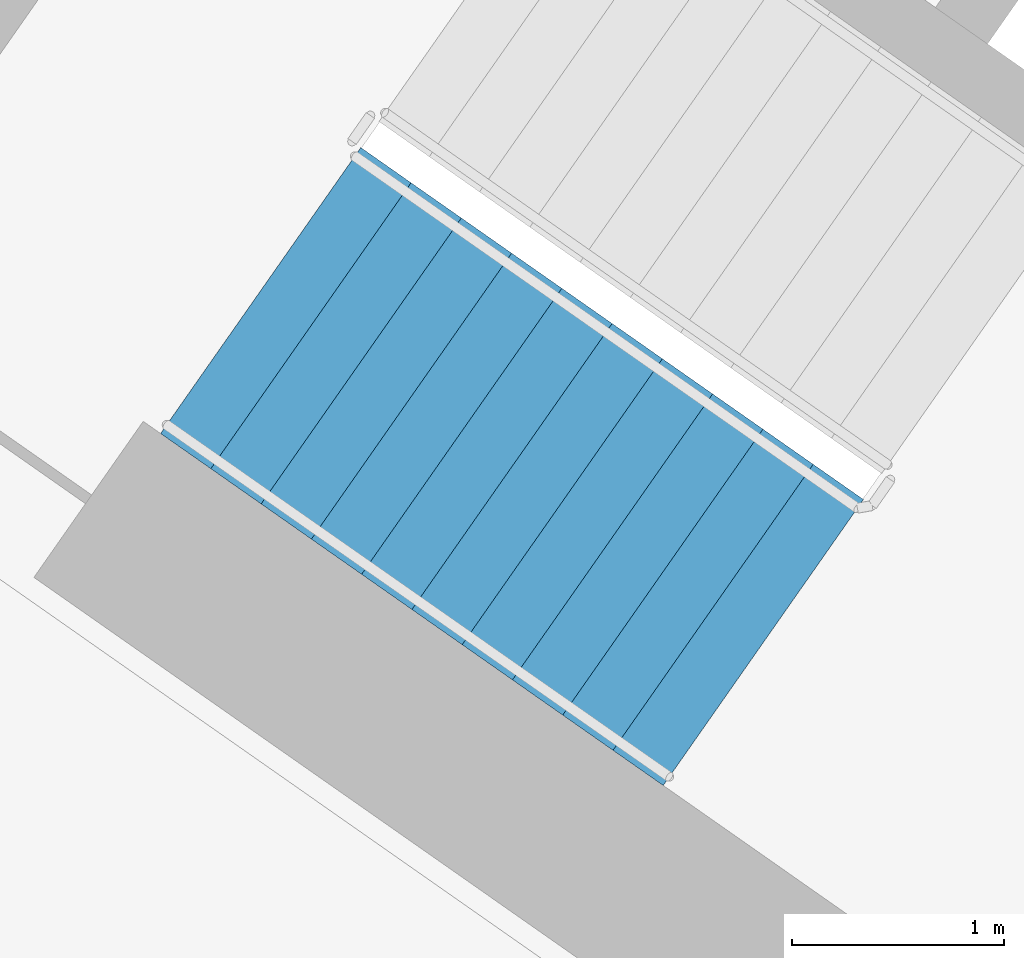
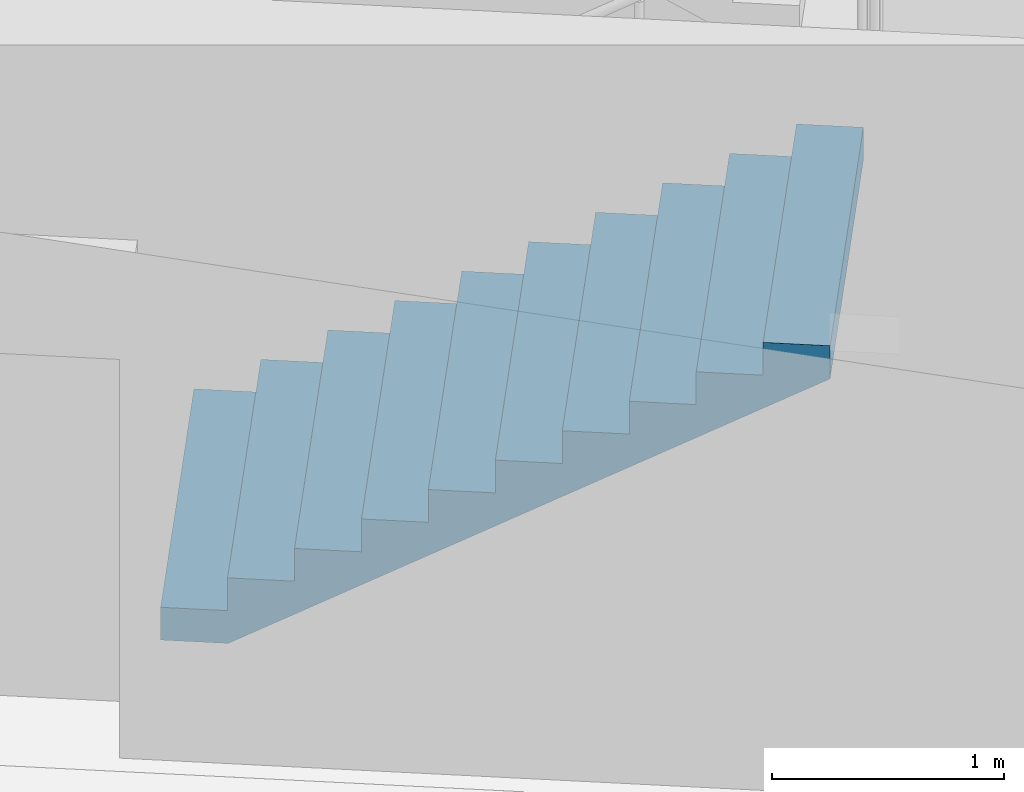
# One storey, part 10 of 31: 1 stair flight, 1 element without a shape of its own.
"""IFC4 building model written with IfcOpenShell, lengths in metres."""

from ifc_helpers import new_model, si_unit, direction, frame, origin, place, context, subcontext, project, spatial, faceted_brep, material, type_object, element, aggregate, save


model = new_model("IFC4")

# Units and contexts
model_context = context("Model", 3, precision=1e-05, world=origin(), true_north=direction((0.0, 1.0)))
body_context = subcontext(model_context, "Body", "Model", "MODEL_VIEW")
ifc_project = project(units=[si_unit("LENGTHUNIT", "METRE"), si_unit("AREAUNIT", "SQUARE_METRE"), si_unit("VOLUMEUNIT", "CUBIC_METRE"), si_unit("PLANEANGLEUNIT", "RADIAN"), si_unit("MASSUNIT", "GRAM", prefix="KILO")], contexts=[model_context])

# Site, building, storey
site_placement = place(None, origin())
site = spatial("IfcSite", under=ifc_project, at=site_placement, CompositionType="ELEMENT")
building_placement = place(site_placement, origin())
building = spatial("IfcBuilding", under=site, at=building_placement, Name="Qamariyya Broadcast Tower", CompositionType="ELEMENT")
storey_placement = place(building_placement, frame((0.0, 0.0, 86.10009765625)))
storey = spatial("IfcBuildingStorey", under=building, at=storey_placement, Name="L18", CompositionType="ELEMENT", Elevation=86.10009765625)

# Stair, stair flight
ifc_material = material(Name="Concrete C50/60", Category="concrete")
stair_type = type_object("IfcStairType", Name="Exit stair 22 risers of 173 mm", PredefinedType="HALF_TURN_STAIR", material=ifc_material)
stair_placement = place(storey_placement, origin())
stair = element("IfcStair", 1, at=stair_placement, inside=storey, type_object=stair_type, Name="L18 Stair W1", PredefinedType="HALF_TURN_STAIR")
stair_flight_type = type_object("IfcStairFlightType", Name="Exit stair flight 11 risers of 173 mm", PredefinedType="STRAIGHT", material=ifc_material)
stair_flight_placement = place(storey_placement, frame((-47.06884765625, -56.982666015625, 0.0), z_axis=(0.0, 0.0, 1.0), x_axis=(0.819152044289, -0.573576436351, 0.0)))
stair_flight = element("IfcStairFlight", 2, at=stair_flight_placement, type_object=stair_flight_type, Name="ST-W1 flight 1", NumberOfRisers=11, NumberOfTreads=10, PredefinedType="STRAIGHT", RiserHeight=0.172727273, TreadLength=0.29, context=body_context, shape_type="Brep", body=[
    faceted_brep([(0.0, 0.824951171875, 0.0), (0.0, 0.824951171875, 0.172607421875), (0.2900390625, 0.824951171875, 0.172607421875), (0.2900390625, 0.824951171875, 0.345458984375), (0.580078125, 0.824951171875, 0.345458984375), (0.580078125, 0.824951171875, 0.51806640625), (0.8701171875, 0.824951171875, 0.51806640625), (0.8701171875, 0.824951171875, 0.69091796875), (1.159912109375, 0.824951171875, 0.69091796875), (1.159912109375, 0.824951171875, 0.863525390625), (1.449951171875, 0.824951171875, 0.863525390625), (1.449951171875, 0.824951171875, 1.036376953125), (1.739990234375, 0.824951171875, 1.036376953125), (1.739990234375, 0.824951171875, 1.208984375), (2.030029296875, 0.824951171875, 1.208984375), (2.030029296875, 0.824951171875, 1.3818359375), (2.320068359375, 0.824951171875, 1.3818359375), (2.320068359375, 0.824951171875, 1.554443359375), (2.610107421875, 0.824951171875, 1.554443359375), (2.610107421875, 0.824951171875, 1.727294921875), (2.89990234375, 0.824951171875, 1.727294921875), (2.89990234375, 0.824951171875, 1.552734375), (0.29296875, 0.824951171875, 0.0), (0.29296875, -0.824951171875, 0.0), (2.89990234375, -0.824951171875, 1.552734375), (2.89990234375, -0.824951171875, 1.727294921875), (2.610107421875, -0.824951171875, 1.727294921875), (2.610107421875, -0.824951171875, 1.554443359375), (2.320068359375, -0.824951171875, 1.554443359375), (2.320068359375, -0.824951171875, 1.3818359375), (2.030029296875, -0.824951171875, 1.3818359375), (2.030029296875, -0.824951171875, 1.208984375), (1.739990234375, -0.824951171875, 1.208984375), (1.739990234375, -0.824951171875, 1.036376953125), (1.449951171875, -0.824951171875, 1.036376953125), (1.449951171875, -0.824951171875, 0.863525390625), (1.159912109375, -0.824951171875, 0.863525390625), (1.159912109375, -0.824951171875, 0.69091796875), (0.8701171875, -0.824951171875, 0.69091796875), (0.8701171875, -0.824951171875, 0.51806640625), (0.580078125, -0.824951171875, 0.51806640625), (0.580078125, -0.824951171875, 0.345458984375), (0.2900390625, -0.824951171875, 0.345458984375), (0.2900390625, -0.824951171875, 0.172607421875), (0.0, -0.824951171875, 0.172607421875), (0.0, -0.824951171875, 0.0), (0.0, 0.10009765625, 0.0), (0.0, 0.086669921875, 0.0), (0.0, 0.0732421875, 0.0), (0.0, 0.06005859375, 0.0), (0.0, 0.046630859375, 0.0), (0.0, 0.033447265625, 0.0), (0.0, 0.02001953125, 0.0), (0.0, 0.006591796875, 0.0), (0.0, -0.006591796875, 0.0), (0.0, -0.02001953125, 0.0), (0.0, -0.033447265625, 0.0), (0.0, -0.046630859375, 0.0), (0.0, -0.06005859375, 0.0), (0.0, -0.0732421875, 0.0), (0.0, -0.086669921875, 0.0), (0.0, -0.10009765625, 0.0), (0.0, -0.10009765625, 0.172607421875), (0.0, -0.086669921875, 0.172607421875), (0.0, -0.0732421875, 0.172607421875), (0.0, -0.06005859375, 0.172607421875), (0.0, -0.046630859375, 0.172607421875), (0.0, -0.033447265625, 0.172607421875), (0.0, -0.02001953125, 0.172607421875), (0.0, -0.006591796875, 0.172607421875), (0.0, 0.006591796875, 0.172607421875), (0.0, 0.02001953125, 0.172607421875), (0.0, 0.033447265625, 0.172607421875), (0.0, 0.046630859375, 0.172607421875), (0.0, 0.06005859375, 0.172607421875), (0.0, 0.0732421875, 0.172607421875), (0.0, 0.086669921875, 0.172607421875), (0.0, 0.10009765625, 0.172607421875), (0.2900390625, -0.10009765625, 0.172607421875), (0.2900390625, -0.086669921875, 0.172607421875), (0.2900390625, -0.0732421875, 0.172607421875), (0.2900390625, -0.06005859375, 0.172607421875), (0.2900390625, -0.046630859375, 0.172607421875), (0.2900390625, -0.033447265625, 0.172607421875), (0.2900390625, -0.02001953125, 0.172607421875), (0.2900390625, -0.006591796875, 0.172607421875), (0.2900390625, 0.006591796875, 0.172607421875), (0.2900390625, 0.02001953125, 0.172607421875), (0.2900390625, 0.033447265625, 0.172607421875), (0.2900390625, 0.046630859375, 0.172607421875), (0.2900390625, 0.06005859375, 0.172607421875), (0.2900390625, 0.0732421875, 0.172607421875), (0.2900390625, 0.086669921875, 0.172607421875), (0.2900390625, 0.10009765625, 0.172607421875), (0.2900390625, -0.10009765625, 0.345458984375), (0.2900390625, -0.086669921875, 0.345458984375), (0.2900390625, -0.0732421875, 0.345458984375), (0.2900390625, -0.06005859375, 0.345458984375), (0.2900390625, -0.046630859375, 0.345458984375), (0.2900390625, -0.033447265625, 0.345458984375), (0.2900390625, -0.02001953125, 0.345458984375), (0.2900390625, -0.006591796875, 0.345458984375), (0.2900390625, 0.006591796875, 0.345458984375), (0.2900390625, 0.02001953125, 0.345458984375), (0.2900390625, 0.033447265625, 0.345458984375), (0.2900390625, 0.046630859375, 0.345458984375), (0.2900390625, 0.06005859375, 0.345458984375), (0.2900390625, 0.0732421875, 0.345458984375), (0.2900390625, 0.086669921875, 0.345458984375), (0.2900390625, 0.10009765625, 0.345458984375), (0.580078125, -0.10009765625, 0.345458984375), (0.580078125, -0.086669921875, 0.345458984375), (0.580078125, -0.0732421875, 0.345458984375), (0.580078125, -0.06005859375, 0.345458984375), (0.580078125, -0.046630859375, 0.345458984375), (0.580078125, -0.033447265625, 0.345458984375), (0.580078125, -0.02001953125, 0.345458984375), (0.580078125, -0.006591796875, 0.345458984375), (0.580078125, 0.006591796875, 0.345458984375), (0.580078125, 0.02001953125, 0.345458984375), (0.580078125, 0.033447265625, 0.345458984375), (0.580078125, 0.046630859375, 0.345458984375), (0.580078125, 0.06005859375, 0.345458984375), (0.580078125, 0.0732421875, 0.345458984375), (0.580078125, 0.086669921875, 0.345458984375), (0.580078125, 0.10009765625, 0.345458984375), (0.580078125, -0.10009765625, 0.51806640625), (0.580078125, -0.086669921875, 0.51806640625), (0.580078125, -0.0732421875, 0.51806640625), (0.580078125, -0.06005859375, 0.51806640625), (0.580078125, -0.046630859375, 0.51806640625), (0.580078125, -0.033447265625, 0.51806640625), (0.580078125, -0.02001953125, 0.51806640625), (0.580078125, -0.006591796875, 0.51806640625), (0.580078125, 0.006591796875, 0.51806640625), (0.580078125, 0.02001953125, 0.51806640625), (0.580078125, 0.033447265625, 0.51806640625), (0.580078125, 0.046630859375, 0.51806640625), (0.580078125, 0.06005859375, 0.51806640625), (0.580078125, 0.0732421875, 0.51806640625), (0.580078125, 0.086669921875, 0.51806640625), (0.580078125, 0.10009765625, 0.51806640625), (0.8701171875, -0.10009765625, 0.51806640625), (0.8701171875, -0.086669921875, 0.51806640625), (0.8701171875, -0.0732421875, 0.51806640625), (0.8701171875, -0.06005859375, 0.51806640625), (0.8701171875, -0.046630859375, 0.51806640625), (0.8701171875, -0.033447265625, 0.51806640625), (0.8701171875, -0.02001953125, 0.51806640625), (0.8701171875, -0.006591796875, 0.51806640625), (0.8701171875, 0.006591796875, 0.51806640625), (0.8701171875, 0.02001953125, 0.51806640625), (0.8701171875, 0.033447265625, 0.51806640625), (0.8701171875, 0.046630859375, 0.51806640625), (0.8701171875, 0.06005859375, 0.51806640625), (0.8701171875, 0.0732421875, 0.51806640625), (0.8701171875, 0.086669921875, 0.51806640625), (0.8701171875, 0.10009765625, 0.51806640625), (0.8701171875, -0.10009765625, 0.69091796875), (0.8701171875, -0.086669921875, 0.69091796875), (0.8701171875, -0.0732421875, 0.69091796875), (0.8701171875, -0.06005859375, 0.69091796875), (0.8701171875, -0.046630859375, 0.69091796875), (0.8701171875, -0.033447265625, 0.69091796875), (0.8701171875, -0.02001953125, 0.69091796875), (0.8701171875, -0.006591796875, 0.69091796875), (0.8701171875, 0.006591796875, 0.69091796875), (0.8701171875, 0.02001953125, 0.69091796875), (0.8701171875, 0.033447265625, 0.69091796875), (0.8701171875, 0.046630859375, 0.69091796875), (0.8701171875, 0.06005859375, 0.69091796875), (0.8701171875, 0.0732421875, 0.69091796875), (0.8701171875, 0.086669921875, 0.69091796875), (0.8701171875, 0.10009765625, 0.69091796875), (1.159912109375, -0.10009765625, 0.69091796875), (1.159912109375, -0.086669921875, 0.69091796875), (1.159912109375, -0.0732421875, 0.69091796875), (1.159912109375, -0.06005859375, 0.69091796875), (1.159912109375, -0.046630859375, 0.69091796875), (1.159912109375, -0.033447265625, 0.69091796875), (1.159912109375, -0.02001953125, 0.69091796875), (1.159912109375, -0.006591796875, 0.69091796875), (1.159912109375, 0.006591796875, 0.69091796875), (1.159912109375, 0.02001953125, 0.69091796875), (1.159912109375, 0.033447265625, 0.69091796875), (1.159912109375, 0.046630859375, 0.69091796875), (1.159912109375, 0.06005859375, 0.69091796875), (1.159912109375, 0.0732421875, 0.69091796875), (1.159912109375, 0.086669921875, 0.69091796875), (1.159912109375, 0.10009765625, 0.69091796875), (1.159912109375, -0.10009765625, 0.863525390625), (1.159912109375, -0.086669921875, 0.863525390625), (1.159912109375, -0.0732421875, 0.863525390625), (1.159912109375, -0.06005859375, 0.863525390625), (1.159912109375, -0.046630859375, 0.863525390625), (1.159912109375, -0.033447265625, 0.863525390625), (1.159912109375, -0.02001953125, 0.863525390625), (1.159912109375, -0.006591796875, 0.863525390625), (1.159912109375, 0.006591796875, 0.863525390625), (1.159912109375, 0.02001953125, 0.863525390625), (1.159912109375, 0.033447265625, 0.863525390625), (1.159912109375, 0.046630859375, 0.863525390625), (1.159912109375, 0.06005859375, 0.863525390625), (1.159912109375, 0.0732421875, 0.863525390625), (1.159912109375, 0.086669921875, 0.863525390625), (1.159912109375, 0.10009765625, 0.863525390625), (1.449951171875, -0.10009765625, 0.863525390625), (1.449951171875, -0.086669921875, 0.863525390625), (1.449951171875, -0.0732421875, 0.863525390625), (1.449951171875, -0.06005859375, 0.863525390625), (1.449951171875, -0.046630859375, 0.863525390625), (1.449951171875, -0.033447265625, 0.863525390625), (1.449951171875, -0.02001953125, 0.863525390625), (1.449951171875, -0.006591796875, 0.863525390625), (1.449951171875, 0.006591796875, 0.863525390625), (1.449951171875, 0.02001953125, 0.863525390625), (1.449951171875, 0.033447265625, 0.863525390625), (1.449951171875, 0.046630859375, 0.863525390625), (1.449951171875, 0.06005859375, 0.863525390625), (1.449951171875, 0.0732421875, 0.863525390625), (1.449951171875, 0.086669921875, 0.863525390625), (1.449951171875, 0.10009765625, 0.863525390625), (1.449951171875, -0.10009765625, 1.036376953125), (1.449951171875, -0.086669921875, 1.036376953125), (1.449951171875, -0.0732421875, 1.036376953125), (1.449951171875, -0.06005859375, 1.036376953125), (1.449951171875, -0.046630859375, 1.036376953125), (1.449951171875, -0.033447265625, 1.036376953125), (1.449951171875, -0.02001953125, 1.036376953125), (1.449951171875, -0.006591796875, 1.036376953125), (1.449951171875, 0.006591796875, 1.036376953125), (1.449951171875, 0.02001953125, 1.036376953125), (1.449951171875, 0.033447265625, 1.036376953125), (1.449951171875, 0.046630859375, 1.036376953125), (1.449951171875, 0.06005859375, 1.036376953125), (1.449951171875, 0.0732421875, 1.036376953125), (1.449951171875, 0.086669921875, 1.036376953125), (1.449951171875, 0.10009765625, 1.036376953125), (1.739990234375, -0.10009765625, 1.036376953125), (1.739990234375, -0.086669921875, 1.036376953125), (1.739990234375, -0.0732421875, 1.036376953125), (1.739990234375, -0.06005859375, 1.036376953125), (1.739990234375, -0.046630859375, 1.036376953125), (1.739990234375, -0.033447265625, 1.036376953125), (1.739990234375, -0.02001953125, 1.036376953125), (1.739990234375, -0.006591796875, 1.036376953125), (1.739990234375, 0.006591796875, 1.036376953125), (1.739990234375, 0.02001953125, 1.036376953125), (1.739990234375, 0.033447265625, 1.036376953125), (1.739990234375, 0.046630859375, 1.036376953125), (1.739990234375, 0.06005859375, 1.036376953125), (1.739990234375, 0.0732421875, 1.036376953125), (1.739990234375, 0.086669921875, 1.036376953125), (1.739990234375, 0.10009765625, 1.036376953125), (1.739990234375, -0.10009765625, 1.208984375), (1.739990234375, -0.086669921875, 1.208984375), (1.739990234375, -0.0732421875, 1.208984375), (1.739990234375, -0.06005859375, 1.208984375), (1.739990234375, -0.046630859375, 1.208984375), (1.739990234375, -0.033447265625, 1.208984375), (1.739990234375, -0.02001953125, 1.208984375), (1.739990234375, -0.006591796875, 1.208984375), (1.739990234375, 0.006591796875, 1.208984375), (1.739990234375, 0.02001953125, 1.208984375), (1.739990234375, 0.033447265625, 1.208984375), (1.739990234375, 0.046630859375, 1.208984375), (1.739990234375, 0.06005859375, 1.208984375), (1.739990234375, 0.0732421875, 1.208984375), (1.739990234375, 0.086669921875, 1.208984375), (1.739990234375, 0.10009765625, 1.208984375), (2.030029296875, -0.10009765625, 1.208984375), (2.030029296875, -0.086669921875, 1.208984375), (2.030029296875, -0.0732421875, 1.208984375), (2.030029296875, -0.06005859375, 1.208984375), (2.030029296875, -0.046630859375, 1.208984375), (2.030029296875, -0.033447265625, 1.208984375), (2.030029296875, -0.02001953125, 1.208984375), (2.030029296875, -0.006591796875, 1.208984375), (2.030029296875, 0.006591796875, 1.208984375), (2.030029296875, 0.02001953125, 1.208984375), (2.030029296875, 0.033447265625, 1.208984375), (2.030029296875, 0.046630859375, 1.208984375), (2.030029296875, 0.06005859375, 1.208984375), (2.030029296875, 0.0732421875, 1.208984375), (2.030029296875, 0.086669921875, 1.208984375), (2.030029296875, 0.10009765625, 1.208984375), (2.030029296875, -0.10009765625, 1.3818359375), (2.030029296875, -0.086669921875, 1.3818359375), (2.030029296875, -0.0732421875, 1.3818359375), (2.030029296875, -0.06005859375, 1.3818359375), (2.030029296875, -0.046630859375, 1.3818359375), (2.030029296875, -0.033447265625, 1.3818359375), (2.030029296875, -0.02001953125, 1.3818359375), (2.030029296875, -0.006591796875, 1.3818359375), (2.030029296875, 0.006591796875, 1.3818359375), (2.030029296875, 0.02001953125, 1.3818359375), (2.030029296875, 0.033447265625, 1.3818359375), (2.030029296875, 0.046630859375, 1.3818359375), (2.030029296875, 0.06005859375, 1.3818359375), (2.030029296875, 0.0732421875, 1.3818359375), (2.030029296875, 0.086669921875, 1.3818359375), (2.030029296875, 0.10009765625, 1.3818359375), (2.320068359375, -0.10009765625, 1.3818359375), (2.320068359375, -0.086669921875, 1.3818359375), (2.320068359375, -0.0732421875, 1.3818359375), (2.320068359375, -0.06005859375, 1.3818359375), (2.320068359375, -0.046630859375, 1.3818359375), (2.320068359375, -0.033447265625, 1.3818359375), (2.320068359375, -0.02001953125, 1.3818359375), (2.320068359375, -0.006591796875, 1.3818359375), (2.320068359375, 0.006591796875, 1.3818359375), (2.320068359375, 0.02001953125, 1.3818359375), (2.320068359375, 0.033447265625, 1.3818359375), (2.320068359375, 0.046630859375, 1.3818359375), (2.320068359375, 0.06005859375, 1.3818359375), (2.320068359375, 0.0732421875, 1.3818359375), (2.320068359375, 0.086669921875, 1.3818359375), (2.320068359375, 0.10009765625, 1.3818359375), (2.320068359375, -0.10009765625, 1.554443359375), (2.320068359375, -0.086669921875, 1.554443359375), (2.320068359375, -0.0732421875, 1.554443359375), (2.320068359375, -0.06005859375, 1.554443359375), (2.320068359375, -0.046630859375, 1.554443359375), (2.320068359375, -0.033447265625, 1.554443359375), (2.320068359375, -0.02001953125, 1.554443359375), (2.320068359375, -0.006591796875, 1.554443359375), (2.320068359375, 0.006591796875, 1.554443359375), (2.320068359375, 0.02001953125, 1.554443359375), (2.320068359375, 0.033447265625, 1.554443359375), (2.320068359375, 0.046630859375, 1.554443359375), (2.320068359375, 0.06005859375, 1.554443359375), (2.320068359375, 0.0732421875, 1.554443359375), (2.320068359375, 0.086669921875, 1.554443359375), (2.320068359375, 0.10009765625, 1.554443359375), (2.610107421875, -0.10009765625, 1.554443359375), (2.610107421875, -0.086669921875, 1.554443359375), (2.610107421875, -0.0732421875, 1.554443359375), (2.610107421875, -0.06005859375, 1.554443359375), (2.610107421875, -0.046630859375, 1.554443359375), (2.610107421875, -0.033447265625, 1.554443359375), (2.610107421875, -0.02001953125, 1.554443359375), (2.610107421875, -0.006591796875, 1.554443359375), (2.610107421875, 0.006591796875, 1.554443359375), (2.610107421875, 0.02001953125, 1.554443359375), (2.610107421875, 0.033447265625, 1.554443359375), (2.610107421875, 0.046630859375, 1.554443359375), (2.610107421875, 0.06005859375, 1.554443359375), (2.610107421875, 0.0732421875, 1.554443359375), (2.610107421875, 0.086669921875, 1.554443359375), (2.610107421875, 0.10009765625, 1.554443359375), (2.610107421875, -0.10009765625, 1.727294921875), (2.610107421875, -0.086669921875, 1.727294921875), (2.610107421875, -0.0732421875, 1.727294921875), (2.610107421875, -0.06005859375, 1.727294921875), (2.610107421875, -0.046630859375, 1.727294921875), (2.610107421875, -0.033447265625, 1.727294921875), (2.610107421875, -0.02001953125, 1.727294921875), (2.610107421875, -0.006591796875, 1.727294921875), (2.610107421875, 0.006591796875, 1.727294921875), (2.610107421875, 0.02001953125, 1.727294921875), (2.610107421875, 0.033447265625, 1.727294921875), (2.610107421875, 0.046630859375, 1.727294921875), (2.610107421875, 0.06005859375, 1.727294921875), (2.610107421875, 0.0732421875, 1.727294921875), (2.610107421875, 0.086669921875, 1.727294921875), (2.610107421875, 0.10009765625, 1.727294921875), (2.89990234375, -0.10009765625, 1.727294921875), (2.89990234375, -0.086669921875, 1.727294921875), (2.89990234375, -0.0732421875, 1.727294921875), (2.89990234375, -0.06005859375, 1.727294921875), (2.89990234375, -0.046630859375, 1.727294921875), (2.89990234375, -0.033447265625, 1.727294921875), (2.89990234375, -0.02001953125, 1.727294921875), (2.89990234375, -0.006591796875, 1.727294921875), (2.89990234375, 0.006591796875, 1.727294921875), (2.89990234375, 0.02001953125, 1.727294921875), (2.89990234375, 0.033447265625, 1.727294921875), (2.89990234375, 0.046630859375, 1.727294921875), (2.89990234375, 0.06005859375, 1.727294921875), (2.89990234375, 0.0732421875, 1.727294921875), (2.89990234375, 0.086669921875, 1.727294921875), (2.89990234375, 0.10009765625, 1.727294921875), (2.89990234375, -0.10009765625, 1.552734375), (2.89990234375, -0.086669921875, 1.552734375), (2.89990234375, -0.0732421875, 1.552734375), (2.89990234375, -0.06005859375, 1.552734375), (2.89990234375, -0.046630859375, 1.552734375), (2.89990234375, -0.033447265625, 1.552734375), (2.89990234375, -0.02001953125, 1.552734375), (2.89990234375, -0.006591796875, 1.552734375), (2.89990234375, 0.006591796875, 1.552734375), (2.89990234375, 0.02001953125, 1.552734375), (2.89990234375, 0.033447265625, 1.552734375), (2.89990234375, 0.046630859375, 1.552734375), (2.89990234375, 0.06005859375, 1.552734375), (2.89990234375, 0.0732421875, 1.552734375), (2.89990234375, 0.086669921875, 1.552734375), (2.89990234375, 0.10009765625, 1.552734375), (0.29296875, -0.10009765625, 0.0), (0.29296875, -0.086669921875, 0.0), (0.29296875, -0.0732421875, 0.0), (0.29296875, -0.06005859375, 0.0), (0.29296875, -0.046630859375, 0.0), (0.29296875, -0.033447265625, 0.0), (0.29296875, -0.02001953125, 0.0), (0.29296875, -0.006591796875, 0.0), (0.29296875, 0.006591796875, 0.0), (0.29296875, 0.02001953125, 0.0), (0.29296875, 0.033447265625, 0.0), (0.29296875, 0.046630859375, 0.0), (0.29296875, 0.06005859375, 0.0), (0.29296875, 0.0732421875, 0.0), (0.29296875, 0.086669921875, 0.0), (0.29296875, 0.10009765625, 0.0)], [[[0, 1, 2, 3, 4, 5, 6, 7, 8, 9, 10, 11, 12, 13, 14, 15, 16, 17, 18, 19, 20, 21, 22]], [[23, 24, 25, 26, 27, 28, 29, 30, 31, 32, 33, 34, 35, 36, 37, 38, 39, 40, 41, 42, 43, 44, 45]], [[0, 46, 47, 48, 49, 50, 51, 52, 53, 54, 55, 56, 57, 58, 59, 60, 61, 45, 44, 62, 63, 64, 65, 66, 67, 68, 69, 70, 71, 72, 73, 74, 75, 76, 77, 1]], [[1, 77, 76, 75, 74, 73, 72, 71, 70, 69, 68, 67, 66, 65, 64, 63, 62, 44, 43, 78, 79, 80, 81, 82, 83, 84, 85, 86, 87, 88, 89, 90, 91, 92, 93, 2]], [[2, 93, 92, 91, 90, 89, 88, 87, 86, 85, 84, 83, 82, 81, 80, 79, 78, 43, 42, 94, 95, 96, 97, 98, 99, 100, 101, 102, 103, 104, 105, 106, 107, 108, 109, 3]], [[3, 109, 108, 107, 106, 105, 104, 103, 102, 101, 100, 99, 98, 97, 96, 95, 94, 42, 41, 110, 111, 112, 113, 114, 115, 116, 117, 118, 119, 120, 121, 122, 123, 124, 125, 4]], [[4, 125, 124, 123, 122, 121, 120, 119, 118, 117, 116, 115, 114, 113, 112, 111, 110, 41, 40, 126, 127, 128, 129, 130, 131, 132, 133, 134, 135, 136, 137, 138, 139, 140, 141, 5]], [[5, 141, 140, 139, 138, 137, 136, 135, 134, 133, 132, 131, 130, 129, 128, 127, 126, 40, 39, 142, 143, 144, 145, 146, 147, 148, 149, 150, 151, 152, 153, 154, 155, 156, 157, 6]], [[6, 157, 156, 155, 154, 153, 152, 151, 150, 149, 148, 147, 146, 145, 144, 143, 142, 39, 38, 158, 159, 160, 161, 162, 163, 164, 165, 166, 167, 168, 169, 170, 171, 172, 173, 7]], [[7, 173, 172, 171, 170, 169, 168, 167, 166, 165, 164, 163, 162, 161, 160, 159, 158, 38, 37, 174, 175, 176, 177, 178, 179, 180, 181, 182, 183, 184, 185, 186, 187, 188, 189, 8]], [[8, 189, 188, 187, 186, 185, 184, 183, 182, 181, 180, 179, 178, 177, 176, 175, 174, 37, 36, 190, 191, 192, 193, 194, 195, 196, 197, 198, 199, 200, 201, 202, 203, 204, 205, 9]], [[9, 205, 204, 203, 202, 201, 200, 199, 198, 197, 196, 195, 194, 193, 192, 191, 190, 36, 35, 206, 207, 208, 209, 210, 211, 212, 213, 214, 215, 216, 217, 218, 219, 220, 221, 10]], [[10, 221, 220, 219, 218, 217, 216, 215, 214, 213, 212, 211, 210, 209, 208, 207, 206, 35, 34, 222, 223, 224, 225, 226, 227, 228, 229, 230, 231, 232, 233, 234, 235, 236, 237, 11]], [[11, 237, 236, 235, 234, 233, 232, 231, 230, 229, 228, 227, 226, 225, 224, 223, 222, 34, 33, 238, 239, 240, 241, 242, 243, 244, 245, 246, 247, 248, 249, 250, 251, 252, 253, 12]], [[12, 253, 252, 251, 250, 249, 248, 247, 246, 245, 244, 243, 242, 241, 240, 239, 238, 33, 32, 254, 255, 256, 257, 258, 259, 260, 261, 262, 263, 264, 265, 266, 267, 268, 269, 13]], [[13, 269, 268, 267, 266, 265, 264, 263, 262, 261, 260, 259, 258, 257, 256, 255, 254, 32, 31, 270, 271, 272, 273, 274, 275, 276, 277, 278, 279, 280, 281, 282, 283, 284, 285, 14]], [[14, 285, 284, 283, 282, 281, 280, 279, 278, 277, 276, 275, 274, 273, 272, 271, 270, 31, 30, 286, 287, 288, 289, 290, 291, 292, 293, 294, 295, 296, 297, 298, 299, 300, 301, 15]], [[15, 301, 300, 299, 298, 297, 296, 295, 294, 293, 292, 291, 290, 289, 288, 287, 286, 30, 29, 302, 303, 304, 305, 306, 307, 308, 309, 310, 311, 312, 313, 314, 315, 316, 317, 16]], [[16, 317, 316, 315, 314, 313, 312, 311, 310, 309, 308, 307, 306, 305, 304, 303, 302, 29, 28, 318, 319, 320, 321, 322, 323, 324, 325, 326, 327, 328, 329, 330, 331, 332, 333, 17]], [[17, 333, 332, 331, 330, 329, 328, 327, 326, 325, 324, 323, 322, 321, 320, 319, 318, 28, 27, 334, 335, 336, 337, 338, 339, 340, 341, 342, 343, 344, 345, 346, 347, 348, 349, 18]], [[18, 349, 348, 347, 346, 345, 344, 343, 342, 341, 340, 339, 338, 337, 336, 335, 334, 27, 26, 350, 351, 352, 353, 354, 355, 356, 357, 358, 359, 360, 361, 362, 363, 364, 365, 19]], [[19, 365, 364, 363, 362, 361, 360, 359, 358, 357, 356, 355, 354, 353, 352, 351, 350, 26, 25, 366, 367, 368, 369, 370, 371, 372, 373, 374, 375, 376, 377, 378, 379, 380, 381, 20]], [[20, 381, 380, 379, 378, 377, 376, 375, 374, 373, 372, 371, 370, 369, 368, 367, 366, 25, 24, 382, 383, 384, 385, 386, 387, 388, 389, 390, 391, 392, 393, 394, 395, 396, 397, 21]], [[21, 397, 396, 395, 394, 393, 392, 391, 390, 389, 388, 387, 386, 385, 384, 383, 382, 24, 23, 398, 399, 400, 401, 402, 403, 404, 405, 406, 407, 408, 409, 410, 411, 412, 413, 22]], [[22, 413, 412, 411, 410, 409, 408, 407, 406, 405, 404, 403, 402, 401, 400, 399, 398, 23, 45, 61, 60, 59, 58, 57, 56, 55, 54, 53, 52, 51, 50, 49, 48, 47, 46, 0]]]),
])
aggregate(stair, [stair_flight])

save(model, "model.ifc")
